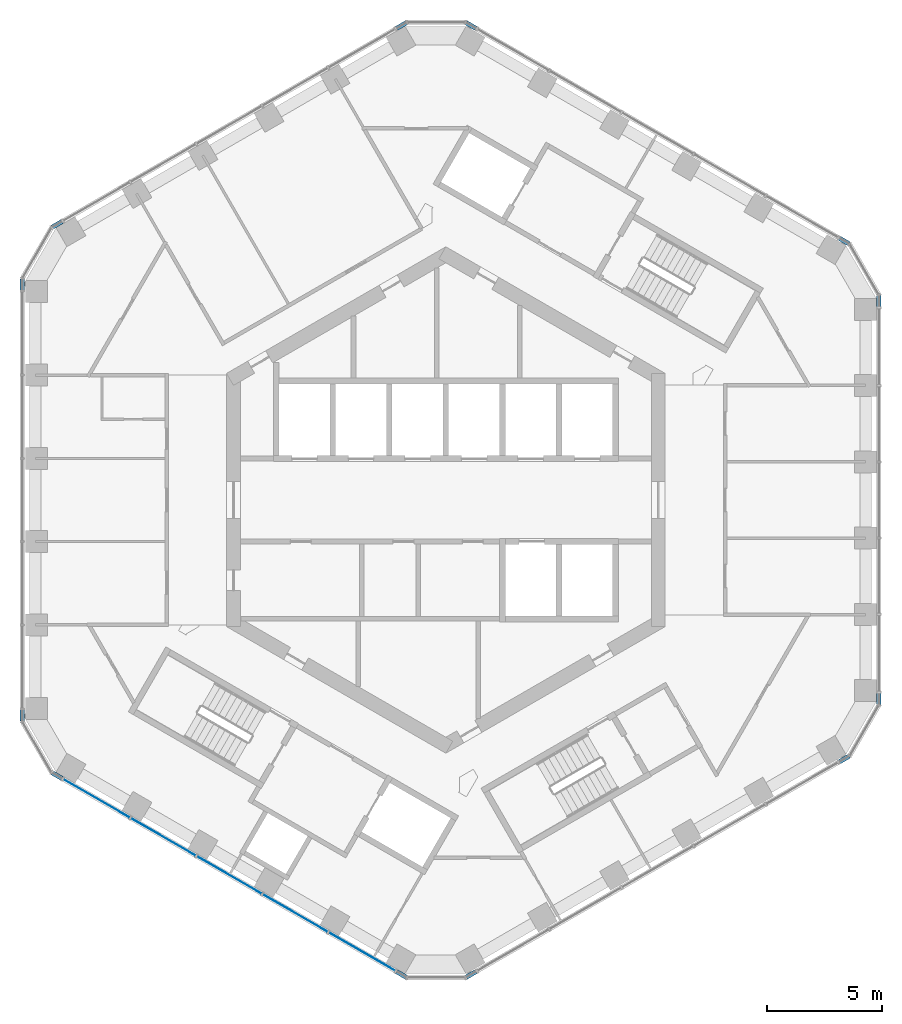
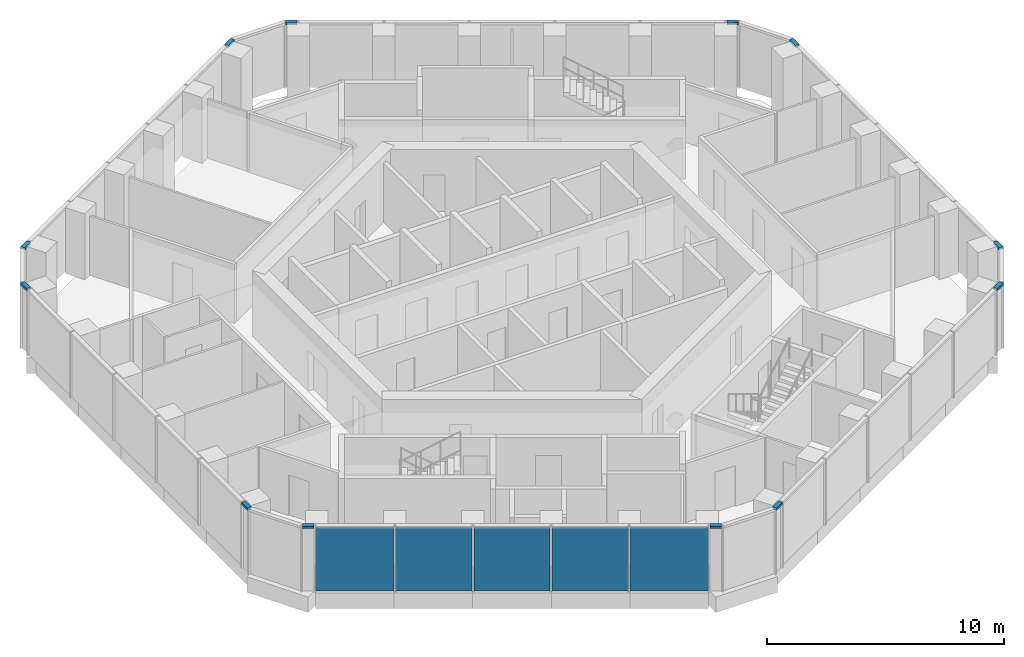
# One storey, part 7 of 18: 12 members, 5 plates, 7 elements without a shape of their own.
"""IFC4 building model written with IfcOpenShell, lengths in metres."""

from ifc_helpers import new_model, si_unit, direction, frame, origin, origin_2d, place, context, subcontext, project, spatial, rectangle, extrude, material, layer, layer_set, material_profile, profile_set, type_object, element, aggregate, save


model = new_model("IFC4")

# Units and contexts
model_context = context("Model", 3, precision=1e-05, world=origin(), true_north=direction((0.0, 1.0)))
body_context = subcontext(model_context, "Body", "Model", "MODEL_VIEW")
ifc_project = project(units=[si_unit("LENGTHUNIT", "METRE"), si_unit("AREAUNIT", "SQUARE_METRE"), si_unit("VOLUMEUNIT", "CUBIC_METRE"), si_unit("PLANEANGLEUNIT", "RADIAN"), si_unit("MASSUNIT", "GRAM", prefix="KILO")], contexts=[model_context])

# Site, building, storey
site_placement = place(None, origin())
site = spatial("IfcSite", under=ifc_project, at=site_placement, CompositionType="ELEMENT")
building_placement = place(site_placement, origin())
building = spatial("IfcBuilding", under=site, at=building_placement, Name="Ayvan Gate Tower", CompositionType="ELEMENT")
storey_placement = place(building_placement, frame((0.0, 0.0, 176.5)))
storey = spatial("IfcBuildingStorey", under=building, at=storey_placement, Name="L47", CompositionType="ELEMENT", Elevation=176.5)

# Curtain wall, members
ifc_material_1 = material(Name="Bronze anodised aluminium", Category="aluminium")
ifc_layer_1 = layer(ifc_material_1, 0.199951171875)
ifc_layer_set_1 = layer_set([ifc_layer_1], Name="Bronze anodised aluminium")
curtain_wall_type_1 = type_object("IfcCurtainWallType", Name="Stick curtain wall CW-6", PredefinedType="NOTDEFINED", material=ifc_layer_set_1)
curtain_wall_1_placement = place(storey_placement, origin())
curtain_wall_1 = element("IfcCurtainWall", 1, at=curtain_wall_1_placement, inside=storey, type_object=curtain_wall_type_1, Name="Stick curtain wall CW-6 L47", PredefinedType="NOTDEFINED")
ifc_material_profile = material_profile(ifc_material_1, rectangle(XDim=0.199951171875, YDim=0.1201171875, at=origin_2d()), Name="Stick curtain wall CW-6 transom 200 x 120")
ifc_profile_set = profile_set([ifc_material_profile], Name="Bronze anodised aluminium")
member_type = type_object("IfcMemberType", Name="Stick curtain wall CW-6 transom 200 x 120", PredefinedType="USERDEFINED", material=ifc_profile_set)
member_1_placement = place(storey_placement, frame((-16.624267578125, 12.06591796875, 3.340087890625), z_axis=(-0.865949687125, -0.500131122175, 0.0), x_axis=(0.500131122175, -0.865949687125, 0.0)))
member_1 = element("IfcMember", 2, at=member_1_placement, type_object=member_type, Name="CW-6 transom 1", ObjectType="TRANSOM", PredefinedType="USERDEFINED", context=body_context, shape_type="SweptSolid", body=[
    extrude(rectangle(XDim=0.199951171875, YDim=0.1201171875, at=origin_2d()), origin(), (0.0, 0.0, 1.0), 0.499755859375),
])
member_2_placement = place(storey_placement, frame((-18.34619140625, 9.58349609375, 3.340087890625), z_axis=(0.0, -1.0, 0.0), x_axis=(1.0, 0.0, 0.0)))
member_2 = element("IfcMember", 3, at=member_2_placement, type_object=member_type, Name="CW-6 transom 3", ObjectType="TRANSOM", PredefinedType="USERDEFINED", context=body_context, shape_type="SweptSolid", body=[
    extrude(rectangle(XDim=0.199951171875, YDim=0.1201171875, at=origin_2d()), origin(), (0.0, 0.0, 1.0), 0.5),
])
aggregate(curtain_wall_1, [member_1, member_2])

curtain_wall_2_placement = place(storey_placement, origin())
curtain_wall_2 = element("IfcCurtainWall", 4, at=curtain_wall_2_placement, inside=storey, type_object=curtain_wall_type_1, Name="Stick curtain wall CW-6 L47", PredefinedType="NOTDEFINED")
member_3_placement = place(storey_placement, frame((-18.34619140625, -9.08349609375, 3.340087890625), z_axis=(0.0, -1.0, 0.0), x_axis=(1.0, 0.0, 0.0)))
member_3 = element("IfcMember", 5, at=member_3_placement, type_object=member_type, Name="CW-6 transom 1", ObjectType="TRANSOM", PredefinedType="USERDEFINED", context=body_context, shape_type="SweptSolid", body=[
    extrude(rectangle(XDim=0.199951171875, YDim=0.1201171875, at=origin_2d()), origin(), (0.0, 0.0, 1.0), 0.5),
])
member_4_placement = place(storey_placement, frame((-17.05712890625, -11.81591796875, 3.340087890625), z_axis=(0.865949687125, -0.500131122175, 0.0), x_axis=(0.500131122175, 0.865949687125, 0.0)))
member_4 = element("IfcMember", 6, at=member_4_placement, type_object=member_type, Name="CW-6 transom 3", ObjectType="TRANSOM", PredefinedType="USERDEFINED", context=body_context, shape_type="SweptSolid", body=[
    extrude(rectangle(XDim=0.199951171875, YDim=0.1201171875, at=origin_2d()), origin(), (0.0, 0.0, 1.0), 0.499755859375),
])
aggregate(curtain_wall_2, [member_3, member_4])

curtain_wall_3_placement = place(storey_placement, origin())
curtain_wall_3 = element("IfcCurtainWall", 7, at=curtain_wall_3_placement, inside=storey, type_object=curtain_wall_type_1, Name="Stick curtain wall CW-6 L47", PredefinedType="NOTDEFINED")
member_5_placement = place(storey_placement, frame((-2.137451171875, -20.429931640625, 3.340087890625), z_axis=(0.866071776036, -0.499919672301, 0.0), x_axis=(0.499919672301, 0.866071776036, 0.0)))
member_5 = element("IfcMember", 8, at=member_5_placement, type_object=member_type, Name="CW-6 transom 1", ObjectType="TRANSOM", PredefinedType="USERDEFINED", context=body_context, shape_type="SweptSolid", body=[
    extrude(rectangle(XDim=0.199951171875, YDim=0.1201171875, at=origin_2d()), origin(), (0.0, 0.0, 1.0), 0.5),
])
member_6_placement = place(storey_placement, frame((0.87353515625, -20.679931640625, 3.340087890625), z_axis=(0.865949687125, 0.500131122175, 0.0), x_axis=(-0.500131122175, 0.865949687125, 0.0)))
member_6 = element("IfcMember", 9, at=member_6_placement, type_object=member_type, Name="CW-6 transom 3", ObjectType="TRANSOM", PredefinedType="USERDEFINED", context=body_context, shape_type="SweptSolid", body=[
    extrude(rectangle(XDim=0.199951171875, YDim=0.1201171875, at=origin_2d()), origin(), (0.0, 0.0, 1.0), 0.499755859375),
])
aggregate(curtain_wall_3, [member_5, member_6])

curtain_wall_4_placement = place(storey_placement, origin())
curtain_wall_4 = element("IfcCurtainWall", 10, at=curtain_wall_4_placement, inside=storey, type_object=curtain_wall_type_1, Name="Stick curtain wall CW-6 L47", PredefinedType="NOTDEFINED")
member_7_placement = place(storey_placement, frame((17.03955078125, -11.346435546875, 3.340087890625), z_axis=(0.866071776036, 0.499919672301, 0.0), x_axis=(-0.499919672301, 0.866071776036, 0.0)))
member_7 = element("IfcMember", 11, at=member_7_placement, type_object=member_type, Name="CW-6 transom 1", ObjectType="TRANSOM", PredefinedType="USERDEFINED", context=body_context, shape_type="SweptSolid", body=[
    extrude(rectangle(XDim=0.199951171875, YDim=0.1201171875, at=origin_2d()), origin(), (0.0, 0.0, 1.0), 0.5),
])
member_8_placement = place(storey_placement, frame((18.761474609375, -8.864013671875, 3.340087890625), z_axis=(0.0, 1.0, 0.0), x_axis=(-1.0, 0.0, 0.0)))
member_8 = element("IfcMember", 12, at=member_8_placement, type_object=member_type, Name="CW-6 transom 3", ObjectType="TRANSOM", PredefinedType="USERDEFINED", context=body_context, shape_type="SweptSolid", body=[
    extrude(rectangle(XDim=0.199951171875, YDim=0.1201171875, at=origin_2d()), origin(), (0.0, 0.0, 1.0), 0.5),
])
aggregate(curtain_wall_4, [member_7, member_8])

curtain_wall_5_placement = place(storey_placement, origin())
curtain_wall_5 = element("IfcCurtainWall", 13, at=curtain_wall_5_placement, inside=storey, type_object=curtain_wall_type_1, Name="Stick curtain wall CW-6 L47", PredefinedType="NOTDEFINED")
member_9_placement = place(storey_placement, frame((18.761474609375, 8.364013671875, 3.340087890625), z_axis=(0.0, 1.0, 0.0), x_axis=(-1.0, 0.0, 0.0)))
member_9 = element("IfcMember", 14, at=member_9_placement, type_object=member_type, Name="CW-6 transom 1", ObjectType="TRANSOM", PredefinedType="USERDEFINED", context=body_context, shape_type="SweptSolid", body=[
    extrude(rectangle(XDim=0.199951171875, YDim=0.1201171875, at=origin_2d()), origin(), (0.0, 0.0, 1.0), 0.5),
])
member_10_placement = place(storey_placement, frame((17.47265625, 11.096435546875, 3.340087890625), z_axis=(-0.866071776036, 0.499919672301, 0.0), x_axis=(-0.499919672301, -0.866071776036, 0.0)))
member_10 = element("IfcMember", 15, at=member_10_placement, type_object=member_type, Name="CW-6 transom 3", ObjectType="TRANSOM", PredefinedType="USERDEFINED", context=body_context, shape_type="SweptSolid", body=[
    extrude(rectangle(XDim=0.199951171875, YDim=0.1201171875, at=origin_2d()), origin(), (0.0, 0.0, 1.0), 0.5),
])
aggregate(curtain_wall_5, [member_9, member_10])

curtain_wall_6_placement = place(storey_placement, origin())
curtain_wall_6 = element("IfcCurtainWall", 16, at=curtain_wall_6_placement, inside=storey, type_object=curtain_wall_type_1, Name="Stick curtain wall CW-6 L47", PredefinedType="NOTDEFINED")
member_11_placement = place(storey_placement, frame((1.306396484375, 20.429931640625, 3.340087890625), z_axis=(-0.865949687125, 0.500131122175, 0.0), x_axis=(-0.500131122175, -0.865949687125, 0.0)))
member_11 = element("IfcMember", 17, at=member_11_placement, type_object=member_type, Name="CW-6 transom 1", ObjectType="TRANSOM", PredefinedType="USERDEFINED", context=body_context, shape_type="SweptSolid", body=[
    extrude(rectangle(XDim=0.199951171875, YDim=0.1201171875, at=origin_2d()), origin(), (0.0, 0.0, 1.0), 0.499755859375),
])
member_12_placement = place(storey_placement, frame((-1.704345703125, 20.679931640625, 3.340087890625), z_axis=(-0.866071776036, -0.499919672301, 0.0), x_axis=(0.499919672301, -0.866071776036, 0.0)))
member_12 = element("IfcMember", 18, at=member_12_placement, type_object=member_type, Name="CW-6 transom 3", ObjectType="TRANSOM", PredefinedType="USERDEFINED", context=body_context, shape_type="SweptSolid", body=[
    extrude(rectangle(XDim=0.199951171875, YDim=0.1201171875, at=origin_2d()), origin(), (0.0, 0.0, 1.0), 0.5),
])
aggregate(curtain_wall_6, [member_11, member_12])

# Curtain wall, plates
ifc_layer_2 = layer(ifc_material_1, 0.199951171875)
ifc_layer_set_2 = layer_set([ifc_layer_2], Name="Bronze anodised aluminium")
curtain_wall_type_2 = type_object("IfcCurtainWallType", Name="Stick curtain wall CW-2", PredefinedType="NOTDEFINED", material=ifc_layer_set_2)
curtain_wall_7_placement = place(storey_placement, origin())
curtain_wall_7 = element("IfcCurtainWall", 19, at=curtain_wall_7_placement, inside=storey, type_object=curtain_wall_type_2, Name="Stick curtain wall CW-2 L47", PredefinedType="NOTDEFINED")
ifc_material_2 = material(Name="Clear low-iron laminated glass", Category="glass")
ifc_layer_3 = layer(ifc_material_2, 0.028076171875)
ifc_layer_set_3 = layer_set([ifc_layer_3], Name="Clear low-iron laminated glass")
plate_type = type_object("IfcPlateType", Name="Stick curtain wall CW-2 glass panel", PredefinedType="CURTAIN_PANEL", material=ifc_layer_set_3)
plate_1_placement = place(storey_placement, frame((-15.146728515625, -12.9189453125, 0.0), z_axis=(0.0, 0.0, 1.0), x_axis=(0.866025403784, -0.5, 0.0)))
plate_1 = element("IfcPlate", 20, at=plate_1_placement, type_object=plate_type, Name="CW-2 glass panel 1", PredefinedType="CURTAIN_PANEL", context=body_context, shape_type="SweptSolid", body=[
    extrude(rectangle(XDim=3.342041015625, YDim=0.028076171875, at=origin_2d()), origin(), (0.0, 0.0, 1.0), 3.280029296875),
])
plate_2_placement = place(storey_placement, frame((-12.239990234375, -14.59716796875, 0.0), z_axis=(0.0, 0.0, 1.0), x_axis=(0.866025403784, -0.5, 0.0)))
plate_2 = element("IfcPlate", 21, at=plate_2_placement, type_object=plate_type, Name="CW-2 glass panel 2", PredefinedType="CURTAIN_PANEL", context=body_context, shape_type="SweptSolid", body=[
    extrude(rectangle(XDim=3.23095703125, YDim=0.028076171875, at=origin_2d()), origin(), (0.0, 0.0, 1.0), 3.280029296875),
])
plate_3_placement = place(storey_placement, frame((-9.380615234375, -16.248046875, 0.0), z_axis=(0.0, 0.0, 1.0), x_axis=(0.866025403784, -0.5, 0.0)))
plate_3 = element("IfcPlate", 22, at=plate_3_placement, type_object=plate_type, Name="CW-2 glass panel 3", PredefinedType="CURTAIN_PANEL", context=body_context, shape_type="SweptSolid", body=[
    extrude(rectangle(XDim=3.23193359375, YDim=0.028076171875, at=origin_2d()), origin(), (0.0, 0.0, 1.0), 3.280029296875),
])
plate_4_placement = place(storey_placement, frame((-6.521484375, -17.898681640625, 0.0), z_axis=(0.0, 0.0, 1.0), x_axis=(0.866025403784, -0.5, 0.0)))
plate_4 = element("IfcPlate", 23, at=plate_4_placement, type_object=plate_type, Name="CW-2 glass panel 4", PredefinedType="CURTAIN_PANEL", context=body_context, shape_type="SweptSolid", body=[
    extrude(rectangle(XDim=3.23095703125, YDim=0.028076171875, at=origin_2d()), origin(), (0.0, 0.0, 1.0), 3.280029296875),
])
plate_5_placement = place(storey_placement, frame((-3.61474609375, -19.576904296875, 0.0), z_axis=(0.0, 0.0, 1.0), x_axis=(0.866025403784, -0.5, 0.0)))
plate_5 = element("IfcPlate", 24, at=plate_5_placement, type_object=plate_type, Name="CW-2 glass panel 5", PredefinedType="CURTAIN_PANEL", context=body_context, shape_type="SweptSolid", body=[
    extrude(rectangle(XDim=3.341796875, YDim=0.028076171875, at=origin_2d()), origin(), (0.0, 0.0, 1.0), 3.280029296875),
])
aggregate(curtain_wall_7, [plate_1, plate_2, plate_3, plate_4, plate_5])

save(model, "model.ifc")
